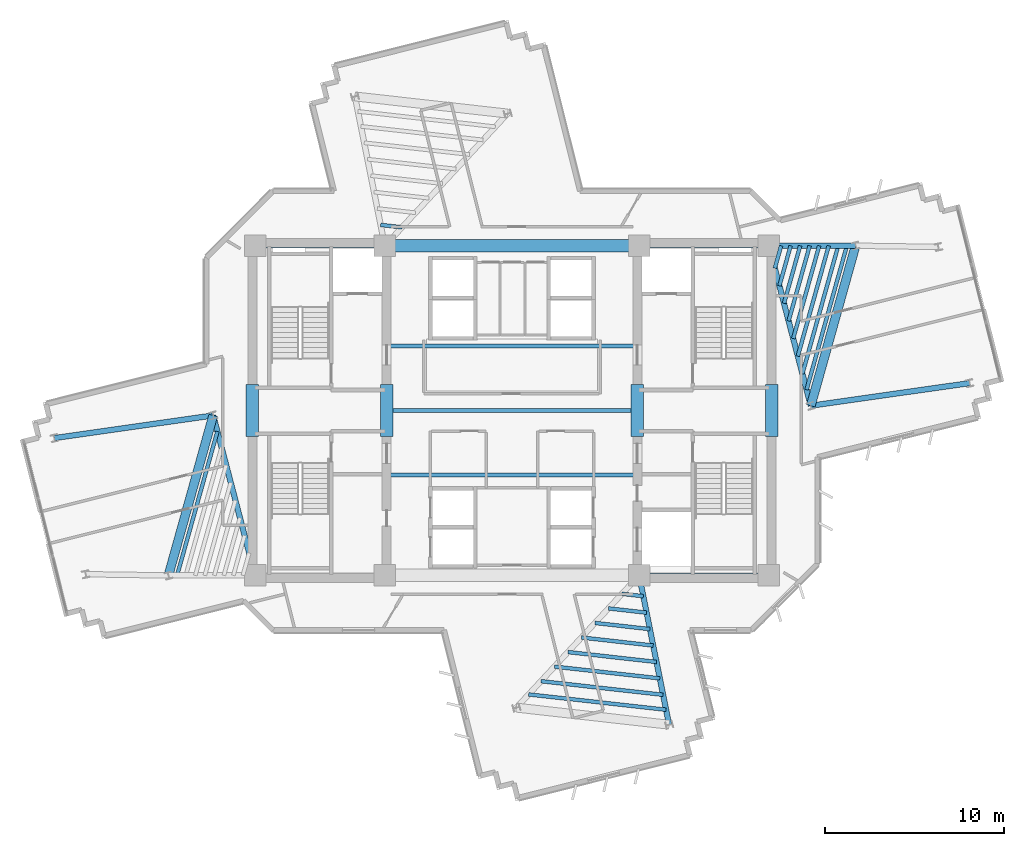
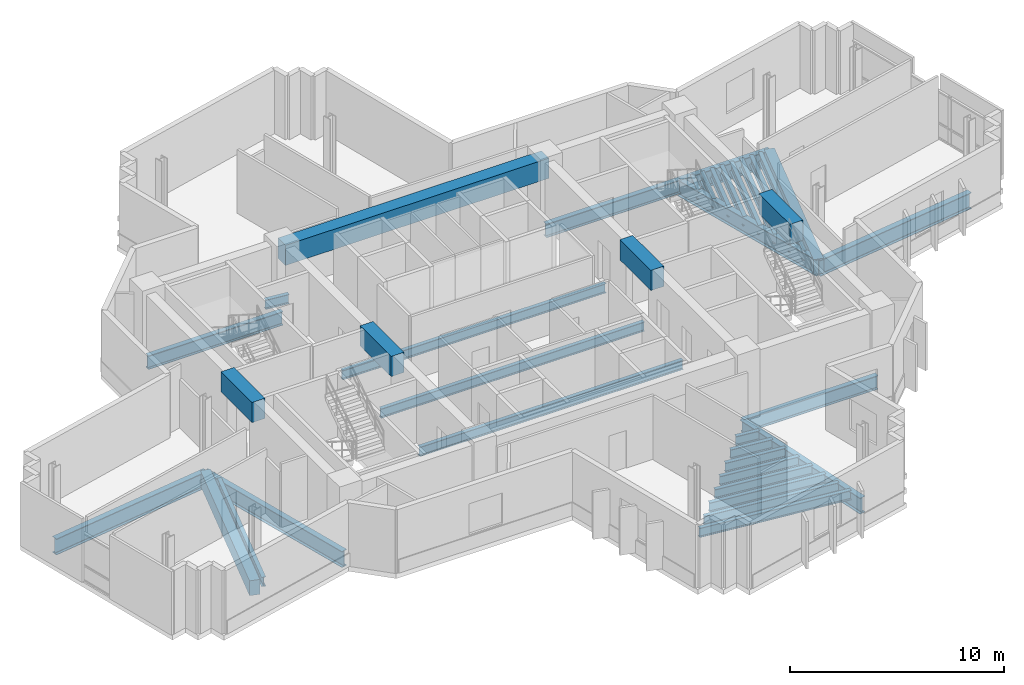
# One storey, part 3 of 13: 37 beams.
"""IFC4 building model written with IfcOpenShell, lengths in metres."""

from ifc_helpers import new_model, si_unit, direction, frame, origin, origin_2d, place, context, subcontext, project, spatial, rectangle, i_section, extrude, source, transform, mapped, material, material_profile, profile_set, type_object, element, save


model = new_model("IFC4")

# Units and contexts
model_context = context("Model", 3, precision=1e-05, world=origin(), true_north=direction((0.0, 1.0)))
body_context = subcontext(model_context, "Body", "Model", "MODEL_VIEW")
ifc_project = project(units=[si_unit("LENGTHUNIT", "METRE"), si_unit("AREAUNIT", "SQUARE_METRE"), si_unit("VOLUMEUNIT", "CUBIC_METRE"), si_unit("PLANEANGLEUNIT", "RADIAN"), si_unit("MASSUNIT", "GRAM", prefix="KILO")], contexts=[model_context])

# Site, building, storey
site_placement = place(None, origin())
site = spatial("IfcSite", under=ifc_project, at=site_placement, CompositionType="ELEMENT")
building_placement = place(site_placement, origin())
building = spatial("IfcBuilding", under=site, at=building_placement, Name="Zahravan Cultural Tower", CompositionType="ELEMENT")
storey_placement = place(building_placement, frame((0.0, 0.0, 190.199951171875)))
storey = spatial("IfcBuildingStorey", under=building, at=storey_placement, Name="L44", CompositionType="ELEMENT", Elevation=190.199951171875)

# Beams
ifc_material_1 = material(Name="Concrete C50/60", Category="concrete")
ifc_material_profile_1 = material_profile(ifc_material_1, rectangle(XDim=0.699951171875, YDim=1.14990234375, at=origin_2d()), Name="RC700X1150")
ifc_profile_set_1 = profile_set([ifc_material_profile_1], Name="Concrete C50/60")
beam_type_1 = type_object("IfcBeamType", Name="BM-LN-RC700X1150", PredefinedType="LINTEL", material=ifc_profile_set_1)
shared_shape_1 = source(origin(), body_context, "Body", "SweptSolid", [
    extrude(rectangle(XDim=0.699951171875, YDim=1.14990234375, at=origin_2d()), origin(), (0.0, 0.0, 1.0), 14.2001953125),
])
beam_1_placement = place(storey_placement, frame((28.89990234375, 36.199951171875, 3.045166015625), z_axis=(1.0, 0.0, 0.0), x_axis=(0.0, 1.0, 0.0)))
element("IfcBeam", 1, at=beam_1_placement, inside=storey, type_object=beam_type_1, Name="L44 Beam LN-L44-N", PredefinedType="LINTEL", context=body_context, shape_type="MappedRepresentation", body=[
    mapped(shared_shape_1, transform((0.0, 0.0, 0.0), x_axis=(1.0, 0.0, 0.0), y_axis=(0.0, 1.0, 0.0), z_axis=(0.0, 0.0, 1.0), scale=1.0)),
])
shared_shape_2 = source(origin(), body_context, "Body", "SweptSolid", [
    extrude(rectangle(XDim=0.699951171875, YDim=1.14990234375, at=origin_2d()), origin(), (0.0, 0.0, 1.0), 2.89990234375),
])
for number, where, z_axis, x_axis, name in (
    (2, (21.5, 25.550048828125, 3.045166015625), (0.0, 1.0, 0.0), (-1.0, 0.0, 0.0), "L44 Beam LN-L44-PWW"),
    (3, (29.0, 25.550048828125, 3.045166015625), (0.0, 1.0, 0.0), (-1.0, 0.0, 0.0), "L44 Beam LN-L44-PWE"),
    (4, (43.0, 25.550048828125, 3.045166015625), (0.0, 1.0, 0.0), (-1.0, 0.0, 0.0), "L44 Beam LN-L44-PEW"),
    (5, (50.5, 25.550048828125, 3.045166015625), (0.0, 1.0, 0.0), (-1.0, 0.0, 0.0), "L44 Beam LN-L44-PEE"),
):
    element("IfcBeam", number, at=place(storey_placement, frame(where, z_axis=z_axis, x_axis=x_axis)), inside=storey, type_object=beam_type_1, Name=name, PredefinedType="LINTEL", context=body_context, shape_type="MappedRepresentation", body=[
        mapped(shared_shape_2, transform((0.0, 0.0, 0.0), x_axis=(1.0, 0.0, 0.0), y_axis=(0.0, 1.0, 0.0), z_axis=(0.0, 0.0, 1.0), scale=1.0)),
    ])
ifc_material_2 = material(Name="Steel ASTM A992 Grade 50", Category="steel")
ifc_material_profile_2 = material_profile(ifc_material_2, i_section(OverallWidth=0.26611328125, OverallDepth=0.780029296875, WebThickness=0.0166015625, FlangeThickness=0.030029296875, FilletRadius=0.01904296875, at=origin_2d()), Name="W30X148")
ifc_profile_set_2 = profile_set([ifc_material_profile_2], Name="Steel ASTM A992 Grade 50")
beam_type_2 = type_object("IfcBeamType", Name="BM-G-W30X148", PredefinedType="BEAM", material=ifc_profile_set_2)
shared_shape_3 = source(origin(), body_context, "Body", "SweptSolid", [
    extrude(i_section(OverallWidth=0.26611328125, OverallDepth=0.780029296875, WebThickness=0.0166015625, FlangeThickness=0.030029296875, FilletRadius=0.01904296875, at=origin_2d()), origin(), (0.0, 0.0, 1.0), 7.25),
])
for number, where, z_axis, x_axis, name in (
    (6, (21.64990234375, 36.199951171875, -0.669921875), (1.0, 0.0, 0.0), (0.0, 1.0, 0.0), "L44 Beam BG-L44-02"),
    (7, (43.10009765625, 17.800048828125, -0.669921875), (1.0, 0.0, 0.0), (0.0, 1.0, 0.0), "L44 Beam BG-L44-04"),
    (8, (43.10009765625, 36.199951171875, -0.669921875), (1.0, 0.0, 0.0), (0.0, 1.0, 0.0), "L44 Beam BG-L44-05"),
):
    element("IfcBeam", number, at=place(storey_placement, frame(where, z_axis=z_axis, x_axis=x_axis)), inside=storey, type_object=beam_type_2, Name=name, PredefinedType="BEAM", context=body_context, shape_type="MappedRepresentation", body=[
        mapped(shared_shape_3, transform((0.0, 0.0, 0.0), x_axis=(1.0, 0.0, 0.0), y_axis=(0.0, 1.0, 0.0), z_axis=(0.0, 0.0, 1.0), scale=1.0)),
    ])
ifc_material_profile_3 = material_profile(ifc_material_2, i_section(OverallWidth=0.304931640625, OverallDepth=0.9189453125, WebThickness=0.017333984375, FlangeThickness=0.02783203125, FilletRadius=0.02392578125, at=origin_2d()), Name="W36X170")
ifc_profile_set_3 = profile_set([ifc_material_profile_3], Name="Steel ASTM A992 Grade 50")
beam_type_3 = type_object("IfcBeamType", Name="BM-G-W36X170", PredefinedType="BEAM", material=ifc_profile_set_3)
shared_shape_4 = source(origin(), body_context, "Body", "SweptSolid", [
    extrude(i_section(OverallWidth=0.304931640625, OverallDepth=0.9189453125, WebThickness=0.017333984375, FlangeThickness=0.02783203125, FilletRadius=0.02392578125, at=origin_2d()), origin(), (0.0, 0.0, 1.0), 9.22900390625),
])
for number, where, z_axis, x_axis, name in (
    (9, (21.64990234375, 17.800048828125, -0.739501953125), (-0.252922608408, 0.967486513682, 0.0), (-0.967486513682, -0.252922608408, 0.0), "L44 Beam BG-L44-07"),
    (10, (50.35009765625, 36.199951171875, -0.739501953125), (0.252922608408, -0.967486513682, 0.0), (0.967486513682, 0.252922608408, 0.0), "L44 Beam BG-L44-11"),
):
    element("IfcBeam", number, at=place(storey_placement, frame(where, z_axis=z_axis, x_axis=x_axis)), inside=storey, type_object=beam_type_3, Name=name, PredefinedType="BEAM", context=body_context, shape_type="MappedRepresentation", body=[
        mapped(shared_shape_4, transform((0.0, 0.0, 0.0), x_axis=(1.0, 0.0, 0.0), y_axis=(0.0, 1.0, 0.0), z_axis=(0.0, 0.0, 1.0), scale=1.0)),
    ])
shared_shape_5 = source(origin(), body_context, "Body", "SweptSolid", [
    extrude(i_section(OverallWidth=0.304931640625, OverallDepth=0.9189453125, WebThickness=0.017333984375, FlangeThickness=0.02783203125, FilletRadius=0.02392578125, at=origin_2d()), origin(), (0.0, 0.0, 1.0), 4.834716796875),
])
beam_2_placement = place(storey_placement, frame((50.35009765625, 36.199951171875, -0.739501953125), z_axis=(0.99999920313, 0.001262433979, 0.0), x_axis=(-0.001262433979, 0.99999920313, 0.0)))
element("IfcBeam", 11, at=beam_2_placement, inside=storey, type_object=beam_type_3, Name="L44 Beam BG-L44-12", PredefinedType="BEAM", context=body_context, shape_type="MappedRepresentation", body=[
    mapped(shared_shape_5, transform((0.0, 0.0, 0.0), x_axis=(1.0, 0.0, 0.0), y_axis=(0.0, 1.0, 0.0), z_axis=(0.0, 0.0, 1.0), scale=1.0)),
])
shared_shape_6 = source(origin(), body_context, "Body", "SweptSolid", [
    extrude(i_section(OverallWidth=0.304931640625, OverallDepth=0.9189453125, WebThickness=0.017333984375, FlangeThickness=0.02783203125, FilletRadius=0.02392578125, at=origin_2d()), origin(), (0.0, 0.0, 1.0), 8.50732421875),
])
beam_3_placement = place(storey_placement, frame((43.10009765625, 17.800048828125, -0.739501953125), z_axis=(0.196524514012, -0.980498911469, 0.0), x_axis=(0.980498911469, 0.196524514012, 0.0)))
element("IfcBeam", 12, at=beam_3_placement, inside=storey, type_object=beam_type_3, Name="L44 Beam BG-L44-10", PredefinedType="BEAM", context=body_context, shape_type="MappedRepresentation", body=[
    mapped(shared_shape_6, transform((0.0, 0.0, 0.0), x_axis=(1.0, 0.0, 0.0), y_axis=(0.0, 1.0, 0.0), z_axis=(0.0, 0.0, 1.0), scale=1.0)),
])
shared_shape_7 = source(origin(), body_context, "Body", "SweptSolid", [
    extrude(i_section(OverallWidth=0.304931640625, OverallDepth=0.9189453125, WebThickness=0.017333984375, FlangeThickness=0.02783203125, FilletRadius=0.02392578125, at=origin_2d()), origin(), (0.0, 0.0, 1.0), 8.9580078125),
])
for number, where, z_axis, x_axis, name in (
    (13, (52.684326171875, 27.27099609375, -0.739501953125), (0.990000122431, 0.141066500584, 0.0), (-0.141066500584, 0.990000122431, 0.0), "L44 Beam BG-L44-15"),
    (14, (19.315673828125, 26.72900390625, -0.739501953125), (-0.990000122431, -0.141066500584, 0.0), (0.141066500584, -0.990000122431, 0.0), "L44 Beam BG-L44-17"),
):
    element("IfcBeam", number, at=place(storey_placement, frame(where, z_axis=z_axis, x_axis=x_axis)), inside=storey, type_object=beam_type_3, Name=name, PredefinedType="BEAM", context=body_context, shape_type="MappedRepresentation", body=[
        mapped(shared_shape_7, transform((0.0, 0.0, 0.0), x_axis=(1.0, 0.0, 0.0), y_axis=(0.0, 1.0, 0.0), z_axis=(0.0, 0.0, 1.0), scale=1.0)),
    ])
ifc_material_profile_4 = material_profile(ifc_material_1, rectangle(XDim=0.5, YDim=0.85009765625, at=origin_2d()), Name="RC500X850")
ifc_profile_set_4 = profile_set([ifc_material_profile_4], Name="Concrete C50/60")
beam_type_4 = type_object("IfcBeamType", Name="BM-SP-RC500X850", PredefinedType="SPANDREL", material=ifc_profile_set_4)
shared_shape_8 = source(origin(), body_context, "Body", "SweptSolid", [
    extrude(rectangle(XDim=0.5, YDim=0.85009765625, at=origin_2d()), origin(), (0.0, 0.0, 1.0), 9.2783203125),
])
for number, where, z_axis, x_axis, name in (
    (15, (19.315673828125, 26.72900390625, -0.704833984375), (-0.269497187032, -0.963001176625, 0.0), (0.963001176625, -0.269497187032, 0.0), "L44 Beam SP-L44-19"),
    (16, (52.684326171875, 27.27099609375, -0.704833984375), (0.269497187032, 0.963001176625, 0.0), (-0.963001176625, 0.269497187032, 0.0), "L44 Beam SP-L44-21"),
):
    element("IfcBeam", number, at=place(storey_placement, frame(where, z_axis=z_axis, x_axis=x_axis)), inside=storey, type_object=beam_type_4, Name=name, PredefinedType="SPANDREL", context=body_context, shape_type="MappedRepresentation", body=[
        mapped(shared_shape_8, transform((0.0, 0.0, 0.0), x_axis=(1.0, 0.0, 0.0), y_axis=(0.0, 1.0, 0.0), z_axis=(0.0, 0.0, 1.0), scale=1.0)),
    ])
ifc_material_profile_5 = material_profile(ifc_material_2, i_section(OverallWidth=0.2099609375, OverallDepth=0.532958984375, WebThickness=0.01025390625, FlangeThickness=0.015625, FilletRadius=0.013916015625, at=origin_2d()), Name="W21X62")
ifc_profile_set_5 = profile_set([ifc_material_profile_5], Name="Steel ASTM A992 Grade 50")
beam_type_5 = type_object("IfcBeamType", Name="BM-J-W21X62", PredefinedType="JOIST", material=ifc_profile_set_5)
shared_shape_9 = source(origin(), body_context, "Body", "SweptSolid", [
    extrude(i_section(OverallWidth=0.2099609375, OverallDepth=0.532958984375, WebThickness=0.01025390625, FlangeThickness=0.015625, FilletRadius=0.013916015625, at=origin_2d()), origin(), (0.0, 0.0, 1.0), 14.2001953125),
])
for number, where, z_axis, x_axis, name in (
    (17, (28.89990234375, 23.39990234375, -0.54638671875), (1.0, 0.0, 0.0), (0.0, 1.0, 0.0), "L44 Beam BJ-L44-23"),
    (18, (28.89990234375, 27.0, -0.54638671875), (1.0, 0.0, 0.0), (0.0, 1.0, 0.0), "L44 Beam BJ-L44-24"),
    (19, (28.89990234375, 30.60009765625, -0.54638671875), (1.0, 0.0, 0.0), (0.0, 1.0, 0.0), "L44 Beam BJ-L44-25"),
):
    element("IfcBeam", number, at=place(storey_placement, frame(where, z_axis=z_axis, x_axis=x_axis)), inside=storey, type_object=beam_type_5, Name=name, PredefinedType="JOIST", context=body_context, shape_type="MappedRepresentation", body=[
        mapped(shared_shape_9, transform((0.0, 0.0, 0.0), x_axis=(1.0, 0.0, 0.0), y_axis=(0.0, 1.0, 0.0), z_axis=(0.0, 0.0, 1.0), scale=1.0)),
    ])
shared_shape_10 = source(origin(), body_context, "Body", "SweptSolid", [
    extrude(i_section(OverallWidth=0.2099609375, OverallDepth=0.532958984375, WebThickness=0.01025390625, FlangeThickness=0.015625, FilletRadius=0.013916015625, at=origin_2d()), origin(), (0.0, 0.0, 1.0), 1.299072265625),
])
beam_4_placement = place(storey_placement, frame((50.6767578125, 34.949951171875, -0.54638671875), z_axis=(0.269504444708, 0.962999145525, 0.0), x_axis=(-0.962999145525, 0.269504444708, 0.0)))
element("IfcBeam", 20, at=beam_4_placement, inside=storey, type_object=beam_type_5, Name="L44 Beam BJ-L44-42", PredefinedType="JOIST", context=body_context, shape_type="MappedRepresentation", body=[
    mapped(shared_shape_10, transform((0.0, 0.0, 0.0), x_axis=(1.0, 0.0, 0.0), y_axis=(0.0, 1.0, 0.0), z_axis=(0.0, 0.0, 1.0), scale=1.0)),
])
shared_shape_11 = source(origin(), body_context, "Body", "SweptSolid", [
    extrude(i_section(OverallWidth=0.2099609375, OverallDepth=0.532958984375, WebThickness=0.01025390625, FlangeThickness=0.015625, FilletRadius=0.013916015625, at=origin_2d()), origin(), (0.0, 0.0, 1.0), 2.3193359375),
])
beam_5_placement = place(storey_placement, frame((50.93359375, 33.9677734375, -0.54638671875), z_axis=(0.269462038626, 0.963011012263, 0.0), x_axis=(-0.963011012263, 0.269462038626, 0.0)))
element("IfcBeam", 21, at=beam_5_placement, inside=storey, type_object=beam_type_5, Name="L44 Beam BJ-L44-43", PredefinedType="JOIST", context=body_context, shape_type="MappedRepresentation", body=[
    mapped(shared_shape_11, transform((0.0, 0.0, 0.0), x_axis=(1.0, 0.0, 0.0), y_axis=(0.0, 1.0, 0.0), z_axis=(0.0, 0.0, 1.0), scale=1.0)),
])
shared_shape_12 = source(origin(), body_context, "Body", "SweptSolid", [
    extrude(i_section(OverallWidth=0.2099609375, OverallDepth=0.532958984375, WebThickness=0.01025390625, FlangeThickness=0.015625, FilletRadius=0.013916015625, at=origin_2d()), origin(), (0.0, 0.0, 1.0), 3.340087890625),
])
beam_6_placement = place(storey_placement, frame((51.190185546875, 32.985595703125, -0.54638671875), z_axis=(0.269562146951, 0.962982995141, 0.0), x_axis=(-0.962982995141, 0.269562146951, 0.0)))
element("IfcBeam", 22, at=beam_6_placement, inside=storey, type_object=beam_type_5, Name="L44 Beam BJ-L44-44", PredefinedType="JOIST", context=body_context, shape_type="MappedRepresentation", body=[
    mapped(shared_shape_12, transform((0.0, 0.0, 0.0), x_axis=(1.0, 0.0, 0.0), y_axis=(0.0, 1.0, 0.0), z_axis=(0.0, 0.0, 1.0), scale=1.0)),
])
shared_shape_13 = source(origin(), body_context, "Body", "SweptSolid", [
    extrude(i_section(OverallWidth=0.2099609375, OverallDepth=0.532958984375, WebThickness=0.01025390625, FlangeThickness=0.015625, FilletRadius=0.013916015625, at=origin_2d()), origin(), (0.0, 0.0, 1.0), 4.36083984375),
])
beam_7_placement = place(storey_placement, frame((51.447021484375, 32.00341796875, -0.54638671875), z_axis=(0.269511557673, 0.962997154866, 0.0), x_axis=(-0.962997154866, 0.269511557673, 0.0)))
element("IfcBeam", 23, at=beam_7_placement, inside=storey, type_object=beam_type_5, Name="L44 Beam BJ-L44-45", PredefinedType="JOIST", context=body_context, shape_type="MappedRepresentation", body=[
    mapped(shared_shape_13, transform((0.0, 0.0, 0.0), x_axis=(1.0, 0.0, 0.0), y_axis=(0.0, 1.0, 0.0), z_axis=(0.0, 0.0, 1.0), scale=1.0)),
])
shared_shape_14 = source(origin(), body_context, "Body", "SweptSolid", [
    extrude(i_section(OverallWidth=0.2099609375, OverallDepth=0.532958984375, WebThickness=0.01025390625, FlangeThickness=0.015625, FilletRadius=0.013916015625, at=origin_2d()), origin(), (0.0, 0.0, 1.0), 5.3818359375),
])
beam_8_placement = place(storey_placement, frame((51.703857421875, 31.02099609375, -0.54638671875), z_axis=(0.269510454638, 0.962997463569, 0.0), x_axis=(-0.962997463569, 0.269510454638, 0.0)))
element("IfcBeam", 24, at=beam_8_placement, inside=storey, type_object=beam_type_5, Name="L44 Beam BJ-L44-46", PredefinedType="JOIST", context=body_context, shape_type="MappedRepresentation", body=[
    mapped(shared_shape_14, transform((0.0, 0.0, 0.0), x_axis=(1.0, 0.0, 0.0), y_axis=(0.0, 1.0, 0.0), z_axis=(0.0, 0.0, 1.0), scale=1.0)),
])
shared_shape_15 = source(origin(), body_context, "Body", "SweptSolid", [
    extrude(i_section(OverallWidth=0.2099609375, OverallDepth=0.532958984375, WebThickness=0.01025390625, FlangeThickness=0.015625, FilletRadius=0.013916015625, at=origin_2d()), origin(), (0.0, 0.0, 1.0), 6.402099609375),
])
beam_9_placement = place(storey_placement, frame((51.960693359375, 30.038818359375, -0.54638671875), z_axis=(0.269494133533, 0.963002031146, 0.0), x_axis=(-0.963002031146, 0.269494133533, 0.0)))
element("IfcBeam", 25, at=beam_9_placement, inside=storey, type_object=beam_type_5, Name="L44 Beam BJ-L44-47", PredefinedType="JOIST", context=body_context, shape_type="MappedRepresentation", body=[
    mapped(shared_shape_15, transform((0.0, 0.0, 0.0), x_axis=(1.0, 0.0, 0.0), y_axis=(0.0, 1.0, 0.0), z_axis=(0.0, 0.0, 1.0), scale=1.0)),
])
shared_shape_16 = source(origin(), body_context, "Body", "SweptSolid", [
    extrude(i_section(OverallWidth=0.2099609375, OverallDepth=0.532958984375, WebThickness=0.01025390625, FlangeThickness=0.015625, FilletRadius=0.013916015625, at=origin_2d()), origin(), (0.0, 0.0, 1.0), 7.4228515625),
])
beam_10_placement = place(storey_placement, frame((52.21728515625, 29.056640625, -0.54638671875), z_axis=(0.269504266128, 0.962999195503, 0.0), x_axis=(-0.962999195503, 0.269504266128, 0.0)))
element("IfcBeam", 26, at=beam_10_placement, inside=storey, type_object=beam_type_5, Name="L44 Beam BJ-L44-48", PredefinedType="JOIST", context=body_context, shape_type="MappedRepresentation", body=[
    mapped(shared_shape_16, transform((0.0, 0.0, 0.0), x_axis=(1.0, 0.0, 0.0), y_axis=(0.0, 1.0, 0.0), z_axis=(0.0, 0.0, 1.0), scale=1.0)),
])
shared_shape_17 = source(origin(), body_context, "Body", "SweptSolid", [
    extrude(i_section(OverallWidth=0.2099609375, OverallDepth=0.532958984375, WebThickness=0.01025390625, FlangeThickness=0.015625, FilletRadius=0.013916015625, at=origin_2d()), origin(), (0.0, 0.0, 1.0), 8.350830078125),
])
for number, where, z_axis, x_axis, name in (
    (27, (19.549072265625, 25.836181640625, -0.54638671875), (-0.269496539555, -0.963001357822, 0.0), (0.963001357822, -0.269496539555, 0.0), "L44 Beam BJ-L44-33"),
    (28, (52.450927734375, 28.163818359375, -0.54638671875), (0.269496539555, 0.963001357822, 0.0), (-0.963001357822, 0.269496539555, 0.0), "L44 Beam BJ-L44-49"),
):
    element("IfcBeam", number, at=place(storey_placement, frame(where, z_axis=z_axis, x_axis=x_axis)), inside=storey, type_object=beam_type_5, Name=name, PredefinedType="JOIST", context=body_context, shape_type="MappedRepresentation", body=[
        mapped(shared_shape_17, transform((0.0, 0.0, 0.0), x_axis=(1.0, 0.0, 0.0), y_axis=(0.0, 1.0, 0.0), z_axis=(0.0, 0.0, 1.0), scale=1.0)),
    ])
shared_shape_18 = source(origin(), body_context, "Body", "SweptSolid", [
    extrude(i_section(OverallWidth=0.2099609375, OverallDepth=0.532958984375, WebThickness=0.01025390625, FlangeThickness=0.015625, FilletRadius=0.013916015625, at=origin_2d()), origin(), (0.0, 0.0, 1.0), 1.201171875),
])
for number, where, z_axis, x_axis, name in (
    (29, (42.140380859375, 16.765625, -0.54638671875), (0.99379916149, -0.111190047317, 0.0), (0.111190047317, 0.99379916149, 0.0), "L44 Beam BJ-L44-34"),
    (30, (29.859619140625, 37.234375, -0.54638671875), (-0.99379916149, 0.111190047317, 0.0), (-0.111190047317, -0.99379916149, 0.0), "L44 Beam BJ-L44-50"),
):
    element("IfcBeam", number, at=place(storey_placement, frame(where, z_axis=z_axis, x_axis=x_axis)), inside=storey, type_object=beam_type_5, Name=name, PredefinedType="JOIST", context=body_context, shape_type="MappedRepresentation", body=[
        mapped(shared_shape_18, transform((0.0, 0.0, 0.0), x_axis=(1.0, 0.0, 0.0), y_axis=(0.0, 1.0, 0.0), z_axis=(0.0, 0.0, 1.0), scale=1.0)),
    ])
shared_shape_19 = source(origin(), body_context, "Body", "SweptSolid", [
    extrude(i_section(OverallWidth=0.2099609375, OverallDepth=0.532958984375, WebThickness=0.01025390625, FlangeThickness=0.015625, FilletRadius=0.013916015625, at=origin_2d()), origin(), (0.0, 0.0, 1.0), 2.144775390625),
])
beam_11_placement = place(storey_placement, frame((41.386474609375, 15.953125, -0.54638671875), z_axis=(0.993797370806, -0.111206051, 0.0), x_axis=(0.111206051, 0.993797370806, 0.0)))
element("IfcBeam", 31, at=beam_11_placement, inside=storey, type_object=beam_type_5, Name="L44 Beam BJ-L44-35", PredefinedType="JOIST", context=body_context, shape_type="MappedRepresentation", body=[
    mapped(shared_shape_19, transform((0.0, 0.0, 0.0), x_axis=(1.0, 0.0, 0.0), y_axis=(0.0, 1.0, 0.0), z_axis=(0.0, 0.0, 1.0), scale=1.0)),
])
shared_shape_20 = source(origin(), body_context, "Body", "SweptSolid", [
    extrude(i_section(OverallWidth=0.2099609375, OverallDepth=0.532958984375, WebThickness=0.01025390625, FlangeThickness=0.015625, FilletRadius=0.013916015625, at=origin_2d()), origin(), (0.0, 0.0, 1.0), 3.088623046875),
])
beam_12_placement = place(storey_placement, frame((40.63232421875, 15.140380859375, -0.54638671875), z_axis=(0.993805407368, -0.111134208443, 0.0), x_axis=(0.111134208443, 0.993805407368, 0.0)))
element("IfcBeam", 32, at=beam_12_placement, inside=storey, type_object=beam_type_5, Name="L44 Beam BJ-L44-36", PredefinedType="JOIST", context=body_context, shape_type="MappedRepresentation", body=[
    mapped(shared_shape_20, transform((0.0, 0.0, 0.0), x_axis=(1.0, 0.0, 0.0), y_axis=(0.0, 1.0, 0.0), z_axis=(0.0, 0.0, 1.0), scale=1.0)),
])
shared_shape_21 = source(origin(), body_context, "Body", "SweptSolid", [
    extrude(i_section(OverallWidth=0.2099609375, OverallDepth=0.532958984375, WebThickness=0.01025390625, FlangeThickness=0.015625, FilletRadius=0.013916015625, at=origin_2d()), origin(), (0.0, 0.0, 1.0), 4.0322265625),
])
beam_13_placement = place(storey_placement, frame((39.87841796875, 14.327880859375, -0.54638671875), z_axis=(0.993802245601, -0.11116247855, 0.0), x_axis=(0.11116247855, 0.993802245601, 0.0)))
element("IfcBeam", 33, at=beam_13_placement, inside=storey, type_object=beam_type_5, Name="L44 Beam BJ-L44-37", PredefinedType="JOIST", context=body_context, shape_type="MappedRepresentation", body=[
    mapped(shared_shape_21, transform((0.0, 0.0, 0.0), x_axis=(1.0, 0.0, 0.0), y_axis=(0.0, 1.0, 0.0), z_axis=(0.0, 0.0, 1.0), scale=1.0)),
])
shared_shape_22 = source(origin(), body_context, "Body", "SweptSolid", [
    extrude(i_section(OverallWidth=0.2099609375, OverallDepth=0.532958984375, WebThickness=0.01025390625, FlangeThickness=0.015625, FilletRadius=0.013916015625, at=origin_2d()), origin(), (0.0, 0.0, 1.0), 4.97607421875),
])
beam_14_placement = place(storey_placement, frame((39.124267578125, 13.51513671875, -0.54638671875), z_axis=(0.993806308517, -0.111126149723, 0.0), x_axis=(0.111126149723, 0.993806308517, 0.0)))
element("IfcBeam", 34, at=beam_14_placement, inside=storey, type_object=beam_type_5, Name="L44 Beam BJ-L44-38", PredefinedType="JOIST", context=body_context, shape_type="MappedRepresentation", body=[
    mapped(shared_shape_22, transform((0.0, 0.0, 0.0), x_axis=(1.0, 0.0, 0.0), y_axis=(0.0, 1.0, 0.0), z_axis=(0.0, 0.0, 1.0), scale=1.0)),
])
shared_shape_23 = source(origin(), body_context, "Body", "SweptSolid", [
    extrude(i_section(OverallWidth=0.2099609375, OverallDepth=0.532958984375, WebThickness=0.01025390625, FlangeThickness=0.015625, FilletRadius=0.013916015625, at=origin_2d()), origin(), (0.0, 0.0, 1.0), 5.919921875),
])
beam_15_placement = place(storey_placement, frame((38.370361328125, 12.70263671875, -0.54638671875), z_axis=(0.993804520866, -0.111142135602, 0.0), x_axis=(0.111142135602, 0.993804520866, 0.0)))
element("IfcBeam", 35, at=beam_15_placement, inside=storey, type_object=beam_type_5, Name="L44 Beam BJ-L44-39", PredefinedType="JOIST", context=body_context, shape_type="MappedRepresentation", body=[
    mapped(shared_shape_23, transform((0.0, 0.0, 0.0), x_axis=(1.0, 0.0, 0.0), y_axis=(0.0, 1.0, 0.0), z_axis=(0.0, 0.0, 1.0), scale=1.0)),
])
shared_shape_24 = source(origin(), body_context, "Body", "SweptSolid", [
    extrude(i_section(OverallWidth=0.2099609375, OverallDepth=0.532958984375, WebThickness=0.01025390625, FlangeThickness=0.015625, FilletRadius=0.013916015625, at=origin_2d()), origin(), (0.0, 0.0, 1.0), 6.86376953125),
])
beam_16_placement = place(storey_placement, frame((37.6162109375, 11.889892578125, -0.54638671875), z_axis=(0.993803224695, -0.111153725024, 0.0), x_axis=(0.111153725024, 0.993803224695, 0.0)))
element("IfcBeam", 36, at=beam_16_placement, inside=storey, type_object=beam_type_5, Name="L44 Beam BJ-L44-40", PredefinedType="JOIST", context=body_context, shape_type="MappedRepresentation", body=[
    mapped(shared_shape_24, transform((0.0, 0.0, 0.0), x_axis=(1.0, 0.0, 0.0), y_axis=(0.0, 1.0, 0.0), z_axis=(0.0, 0.0, 1.0), scale=1.0)),
])
shared_shape_25 = source(origin(), body_context, "Body", "SweptSolid", [
    extrude(i_section(OverallWidth=0.2099609375, OverallDepth=0.532958984375, WebThickness=0.01025390625, FlangeThickness=0.015625, FilletRadius=0.013916015625, at=origin_2d()), origin(), (0.0, 0.0, 1.0), 7.7216796875),
])
beam_17_placement = place(storey_placement, frame((36.930908203125, 11.151123046875, -0.54638671875), z_axis=(0.993805212115, -0.11113595446, 0.0), x_axis=(0.11113595446, 0.993805212115, 0.0)))
element("IfcBeam", 37, at=beam_17_placement, inside=storey, type_object=beam_type_5, Name="L44 Beam BJ-L44-41", PredefinedType="JOIST", context=body_context, shape_type="MappedRepresentation", body=[
    mapped(shared_shape_25, transform((0.0, 0.0, 0.0), x_axis=(1.0, 0.0, 0.0), y_axis=(0.0, 1.0, 0.0), z_axis=(0.0, 0.0, 1.0), scale=1.0)),
])

save(model, "model.ifc")
